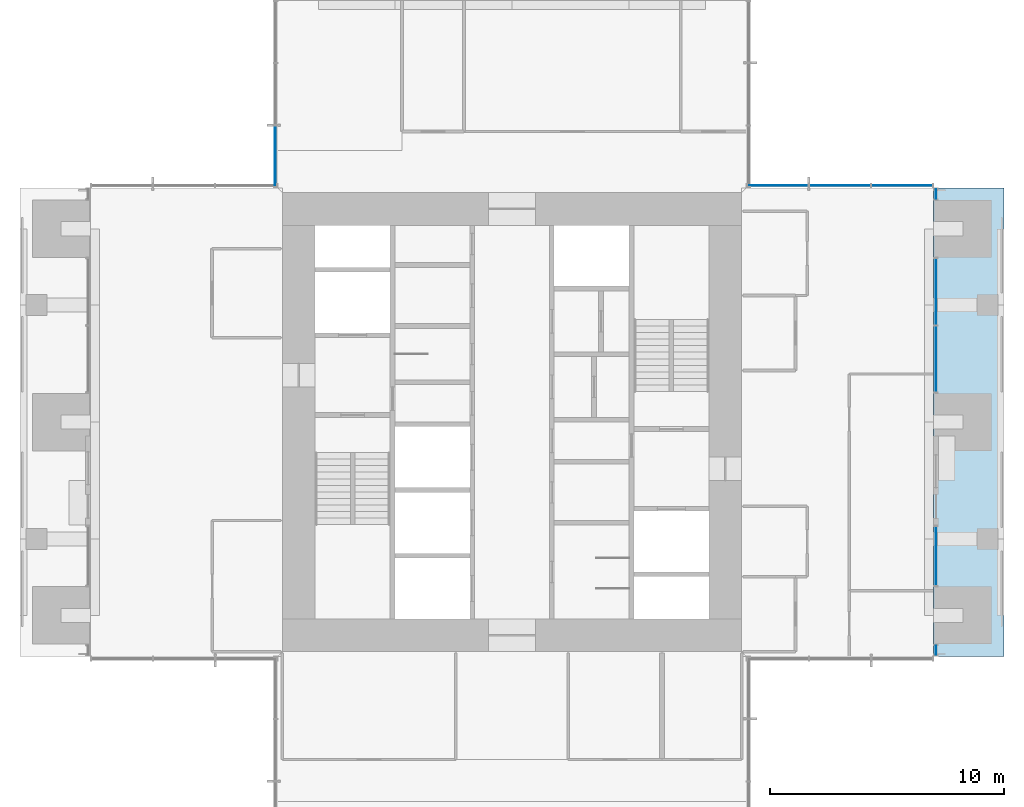
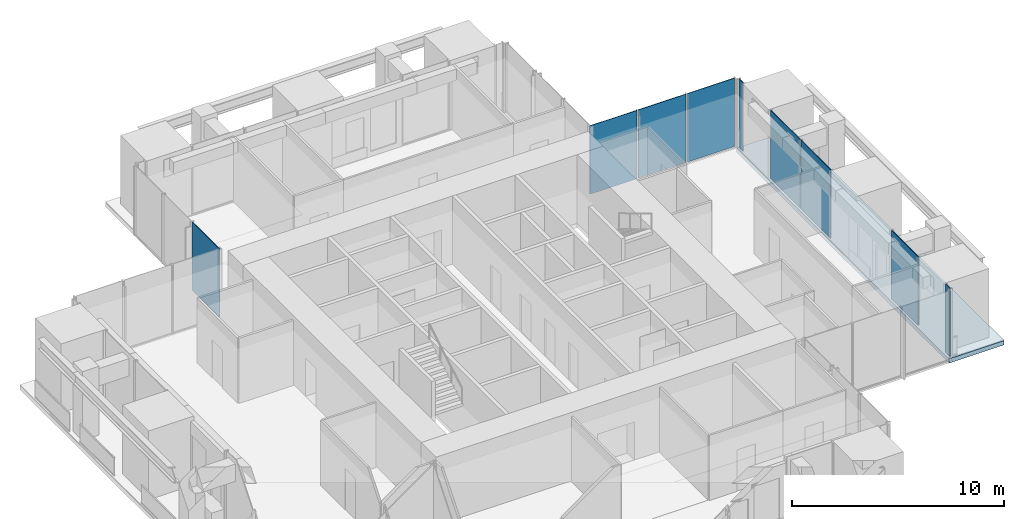
# One storey, part 10 of 17: 9 plates, 1 slab, 6 elements without a shape of their own.
"""IFC4 building model written with IfcOpenShell, lengths in metres."""

from ifc_helpers import new_model, si_unit, direction, frame, origin, origin_2d, place, context, subcontext, project, spatial, polyline, rectangle, outline, extrude, material, layer, layer_set, type_object, element, aggregate, save


model = new_model("IFC4")

# Units and contexts
model_context = context("Model", 3, precision=1e-05, world=origin(), true_north=direction((0.0, 1.0)))
body_context = subcontext(model_context, "Body", "Model", "MODEL_VIEW")
ifc_project = project(units=[si_unit("LENGTHUNIT", "METRE"), si_unit("AREAUNIT", "SQUARE_METRE"), si_unit("VOLUMEUNIT", "CUBIC_METRE"), si_unit("PLANEANGLEUNIT", "RADIAN"), si_unit("MASSUNIT", "GRAM", prefix="KILO")], contexts=[model_context])

# Site, building, storey
site_placement = place(None, origin())
site = spatial("IfcSite", under=ifc_project, at=site_placement, CompositionType="ELEMENT")
building_placement = place(site_placement, origin())
building = spatial("IfcBuilding", under=site, at=building_placement, Name="Svetlomir Tower", CompositionType="ELEMENT")
storey_placement = place(building_placement, frame((0.0, 0.0, 226.5)))
storey = spatial("IfcBuildingStorey", under=building, at=storey_placement, Name="L54", CompositionType="ELEMENT", Elevation=226.5)

# Curtain wall, plate
ifc_material_1 = material(Name="Bronze anodised aluminium curtain wall", Category="aluminium")
curtain_wall_type = type_object("IfcCurtainWallType", Name="CURTAIN WALL CW1 TOWER OFFICE", PredefinedType="NOTDEFINED", material=ifc_material_1)
curtain_wall_1_placement = place(storey_placement, origin())
curtain_wall_1 = element("IfcCurtainWall", 1, at=curtain_wall_1_placement, inside=storey, type_object=curtain_wall_type, Name="Curtain wall CW1 L54", PredefinedType="NOTDEFINED")
ifc_material_2 = material(Name="Tinted double glazed unit", Category="glass")
ifc_layer_1 = layer(ifc_material_2, 0.031982421875)
ifc_layer_set_1 = layer_set([ifc_layer_1], Name="Tinted double glazed unit")
plate_type = type_object("IfcPlateType", Name="CW1 GLAZED PANEL 32", PredefinedType="CURTAIN_PANEL", material=ifc_layer_set_1)
plate_1_placement = place(storey_placement, frame((39.10009765625, 11.262451171875, 0.06494140625), z_axis=(0.0, 0.0, 1.0), x_axis=(0.0, 1.0, 0.0)))
plate_1 = element("IfcPlate", 2, at=plate_1_placement, type_object=plate_type, Name="CW1 panel 1.1", PredefinedType="CURTAIN_PANEL", context=body_context, shape_type="SweptSolid", body=[
    extrude(rectangle(XDim=0.39501953125, YDim=0.031982421875, at=origin_2d()), origin(), (0.0, 0.0, 1.0), 3.93505859375),
])
aggregate(curtain_wall_1, [plate_1])

curtain_wall_2_placement = place(storey_placement, origin())
curtain_wall_2 = element("IfcCurtainWall", 3, at=curtain_wall_2_placement, inside=storey, type_object=curtain_wall_type, Name="Curtain wall CW1 L54", PredefinedType="NOTDEFINED")
plate_2_placement = place(storey_placement, frame((39.10009765625, 15.28759765625, 0.06494140625), z_axis=(0.0, 0.0, 1.0), x_axis=(0.0, 1.0, 0.0)))
plate_2 = element("IfcPlate", 4, at=plate_2_placement, type_object=plate_type, Name="CW1 panel 1.1", PredefinedType="CURTAIN_PANEL", context=body_context, shape_type="SweptSolid", body=[
    extrude(rectangle(XDim=2.4951171875, YDim=0.031982421875, at=origin_2d()), origin(), (0.0, 0.0, 1.0), 3.93505859375),
])
aggregate(curtain_wall_2, [plate_2])

# Curtain wall, plates
curtain_wall_3_placement = place(storey_placement, origin())
curtain_wall_3 = element("IfcCurtainWall", 5, at=curtain_wall_3_placement, inside=storey, type_object=curtain_wall_type, Name="Curtain wall CW1 L54", PredefinedType="NOTDEFINED")
plate_3_placement = place(storey_placement, frame((39.10009765625, 23.691162109375, 0.06494140625), z_axis=(0.0, 0.0, 1.0), x_axis=(0.0, 1.0, 0.0)))
plate_3 = element("IfcPlate", 6, at=plate_3_placement, type_object=plate_type, Name="CW1 panel 1.1", PredefinedType="CURTAIN_PANEL", context=body_context, shape_type="SweptSolid", body=[
    extrude(rectangle(XDim=2.802490234375, YDim=0.031982421875, at=origin_2d()), origin(), (0.0, 0.0, 1.0), 3.93505859375),
])
plate_4_placement = place(storey_placement, frame((39.10009765625, 26.558837890625, 0.06494140625), z_axis=(0.0, 0.0, 1.0), x_axis=(0.0, 1.0, 0.0)))
plate_4 = element("IfcPlate", 7, at=plate_4_placement, type_object=plate_type, Name="CW1 panel 2.1", PredefinedType="CURTAIN_PANEL", context=body_context, shape_type="SweptSolid", body=[
    extrude(rectangle(XDim=2.802490234375, YDim=0.031982421875, at=origin_2d()), origin(), (0.0, 0.0, 1.0), 3.93505859375),
])
aggregate(curtain_wall_3, [plate_3, plate_4])

# Curtain wall, plate
curtain_wall_4_placement = place(storey_placement, origin())
curtain_wall_4 = element("IfcCurtainWall", 8, at=curtain_wall_4_placement, inside=storey, type_object=curtain_wall_type, Name="Curtain wall CW1 L54", PredefinedType="NOTDEFINED")
plate_5_placement = place(storey_placement, frame((39.10009765625, 30.737548828125, 0.06494140625), z_axis=(0.0, 0.0, 1.0), x_axis=(0.0, 1.0, 0.0)))
plate_5 = element("IfcPlate", 9, at=plate_5_placement, type_object=plate_type, Name="CW1 panel 1.1", PredefinedType="CURTAIN_PANEL", context=body_context, shape_type="SweptSolid", body=[
    extrude(rectangle(XDim=0.39501953125, YDim=0.031982421875, at=origin_2d()), origin(), (0.0, 0.0, 1.0), 3.93505859375),
])
aggregate(curtain_wall_4, [plate_5])

# Curtain wall, plates
curtain_wall_5_placement = place(storey_placement, origin())
curtain_wall_5 = element("IfcCurtainWall", 10, at=curtain_wall_5_placement, inside=storey, type_object=curtain_wall_type, Name="Curtain wall CW1 L54", PredefinedType="NOTDEFINED")
plate_6_placement = place(storey_placement, frame((37.650390625, 31.10009765625, 0.06494140625), z_axis=(0.0, 0.0, 1.0), x_axis=(-1.0, 0.0, 0.0)))
plate_6 = element("IfcPlate", 11, at=plate_6_placement, type_object=plate_type, Name="CW1 panel 1.1", PredefinedType="CURTAIN_PANEL", context=body_context, shape_type="SweptSolid", body=[
    extrude(rectangle(XDim=2.569091796875, YDim=0.031982421875, at=origin_2d()), origin(), (0.0, 0.0, 1.0), 3.93505859375),
])
plate_7_placement = place(storey_placement, frame((35.0, 31.10009765625, 0.06494140625), z_axis=(0.0, 0.0, 1.0), x_axis=(-1.0, 0.0, 0.0)))
plate_7 = element("IfcPlate", 12, at=plate_7_placement, type_object=plate_type, Name="CW1 panel 2.1", PredefinedType="CURTAIN_PANEL", context=body_context, shape_type="SweptSolid", body=[
    extrude(rectangle(XDim=2.6015625, YDim=0.031982421875, at=origin_2d()), origin(), (0.0, 0.0, 1.0), 3.93505859375),
])
plate_8_placement = place(storey_placement, frame((32.349609375, 31.10009765625, 0.06494140625), z_axis=(0.0, 0.0, 1.0), x_axis=(-1.0, 0.0, 0.0)))
plate_8 = element("IfcPlate", 13, at=plate_8_placement, type_object=plate_type, Name="CW1 panel 3.1", PredefinedType="CURTAIN_PANEL", context=body_context, shape_type="SweptSolid", body=[
    extrude(rectangle(XDim=2.569091796875, YDim=0.031982421875, at=origin_2d()), origin(), (0.0, 0.0, 1.0), 3.93505859375),
])
aggregate(curtain_wall_5, [plate_6, plate_7, plate_8])

# Curtain wall, plate
curtain_wall_6_placement = place(storey_placement, origin())
curtain_wall_6 = element("IfcCurtainWall", 14, at=curtain_wall_6_placement, inside=storey, type_object=curtain_wall_type, Name="Curtain wall CW1 L54", PredefinedType="NOTDEFINED")
plate_9_placement = place(storey_placement, frame((10.89990234375, 32.349609375, 0.06494140625), z_axis=(0.0, 0.0, 1.0), x_axis=(0.0, -1.0, 0.0)))
plate_9 = element("IfcPlate", 15, at=plate_9_placement, type_object=plate_type, Name="CW1 panel 3.1", PredefinedType="CURTAIN_PANEL", context=body_context, shape_type="SweptSolid", body=[
    extrude(rectangle(XDim=2.569091796875, YDim=0.031982421875, at=origin_2d()), origin(), (0.0, 0.0, 1.0), 3.93505859375),
])
aggregate(curtain_wall_6, [plate_9])

# Slab
ifc_material_3 = material(Name="Concrete C60/75", Category="concrete")
ifc_layer_2 = layer(ifc_material_3, 0.25)
ifc_layer_set_2 = layer_set([ifc_layer_2], Name="Concrete C60/75")
slab_type = type_object("IfcSlabType", Name="PLANTED LOGGIA SLAB 250", PredefinedType="FLOOR", material=ifc_layer_set_2)
slab_placement = place(storey_placement, frame((0.0, 0.0, -0.25)))
element("IfcSlab", 16, at=slab_placement, inside=storey, type_object=slab_type, Name="L54 E planted loggia", PredefinedType="FLOOR", context=body_context, shape_type="SweptSolid", body=[
    extrude(outline(polyline([(39.0, 11.0), (42.0, 11.0), (42.0, 31.0), (39.0, 31.0), (39.0, 11.0)])), origin(), (0.0, 0.0, 1.0), 0.25),
])

save(model, "model.ifc")
